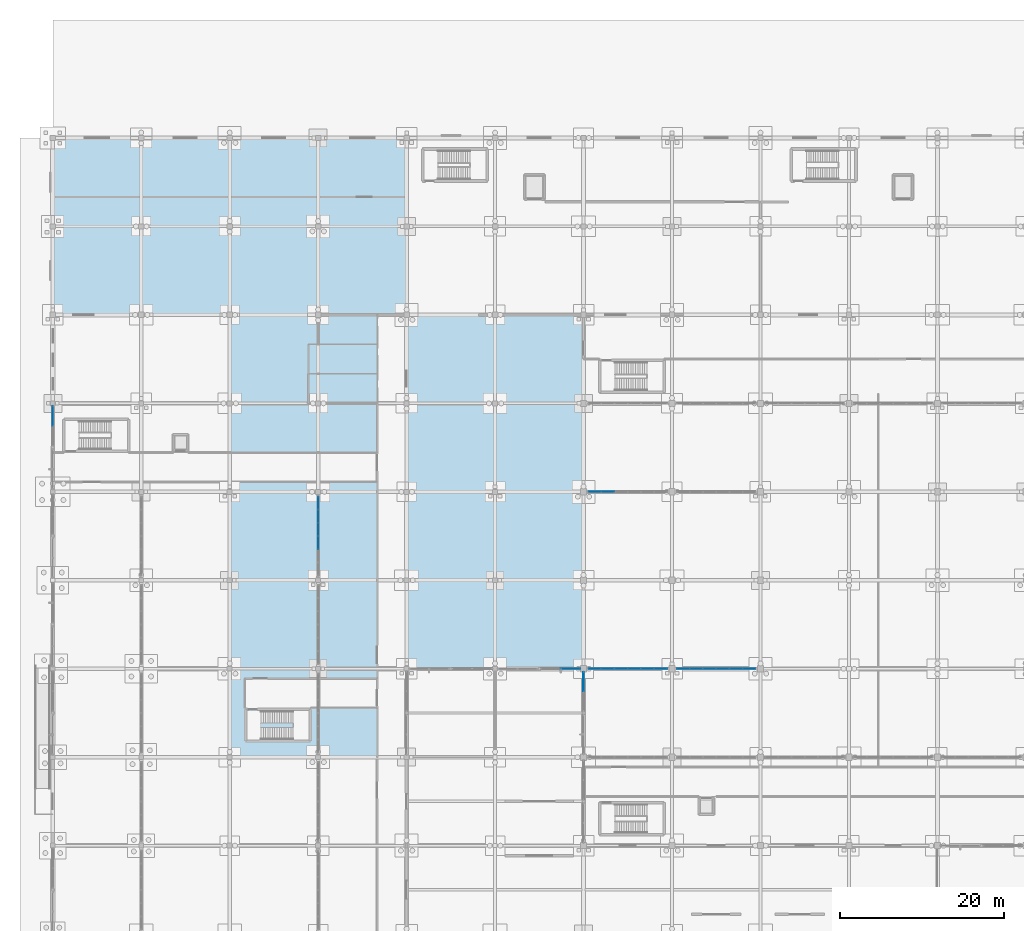
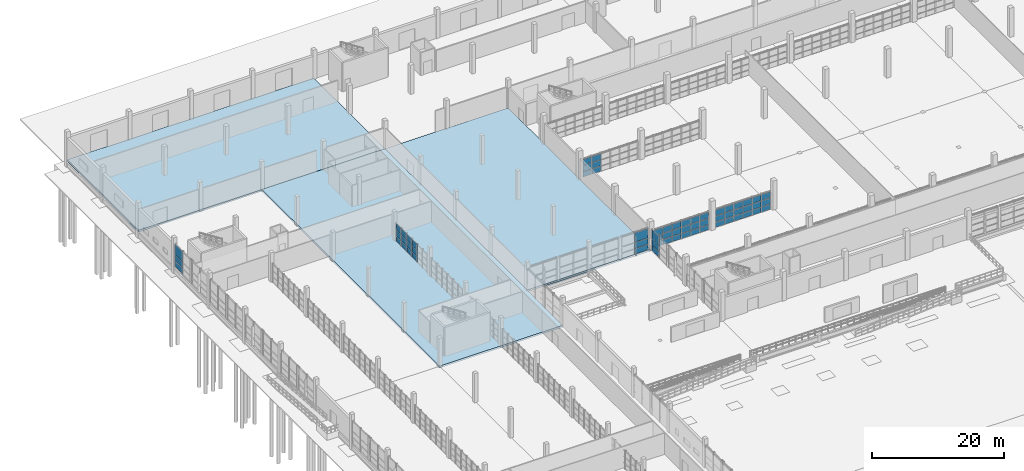
# One storey, part 89 of 138: 63 plates, 3 slabs, 7 elements without a shape of their own.
"""IFC4 building model written with IfcOpenShell, lengths in metres."""

from ifc_helpers import new_model, si_unit, direction, frame, origin, origin_2d, place, context, subcontext, project, spatial, polyline, rectangle, outline, extrude, material, layer, layer_set, type_object, element, aggregate, save


model = new_model("IFC4")

# Units and contexts
model_context = context("Model", 3, precision=1e-05, world=origin(), true_north=direction((0.0, 1.0)))
body_context = subcontext(model_context, "Body", "Model", "MODEL_VIEW")
ifc_project = project(units=[si_unit("LENGTHUNIT", "METRE"), si_unit("AREAUNIT", "SQUARE_METRE"), si_unit("VOLUMEUNIT", "CUBIC_METRE"), si_unit("PLANEANGLEUNIT", "RADIAN"), si_unit("MASSUNIT", "GRAM", prefix="KILO")], contexts=[model_context])

# Site, building, storey
site_placement = place(None, origin())
site = spatial("IfcSite", under=ifc_project, at=site_placement, CompositionType="ELEMENT")
building_placement = place(site_placement, origin())
building = spatial("IfcBuilding", under=site, at=building_placement, Name="Zwinboog Wholesale Market", CompositionType="ELEMENT")
storey_placement = place(building_placement, origin())
storey = spatial("IfcBuildingStorey", under=building, at=storey_placement, Name="L00", CompositionType="ELEMENT", Elevation=0.0)

# Slabs
ifc_material_1 = material(Name="Precast concrete C45/55", Category="concrete")
ifc_layer_1 = layer(ifc_material_1, 0.342041015625)
ifc_layer_set_1 = layer_set([ifc_layer_1], Name="Precast concrete C45/55")
slab_type_1 = type_object("IfcSlabType", Name="SLT-BS-310", PredefinedType="BASESLAB", material=ifc_layer_set_1)
slab_1_placement = place(storey_placement, frame((0.0, 0.0, -0.342041015625)))
element("IfcSlab", 1, at=slab_1_placement, inside=storey, type_object=slab_type_1, Name="SB-342 (SLB-L00-004)", PredefinedType="BASESLAB", context=body_context, shape_type="SweptSolid", body=[
    extrude(outline(polyline([(21.60009765625, 54.0), (43.199951171875, 54.0), (43.199951171875, 108.0), (21.60009765625, 108.0), (21.60009765625, 54.0)])), origin(), (0.0, 0.0, 1.0), 0.342041015625),
])
ifc_layer_2 = layer(ifc_material_1, 0.3349609375)
ifc_layer_set_2 = layer_set([ifc_layer_2], Name="Precast concrete C45/55")
slab_type_2 = type_object("IfcSlabType", Name="SLT-BS-335", PredefinedType="BASESLAB", material=ifc_layer_set_2)
slab_2_placement = place(storey_placement, frame((0.0, 0.0, -0.3349609375)))
element("IfcSlab", 2, at=slab_2_placement, inside=storey, type_object=slab_type_2, Name="SB-335 (SLB-L00-005)", PredefinedType="BASESLAB", context=body_context, shape_type="SweptSolid", body=[
    extrude(outline(polyline([(43.199951171875, 64.800048828125), (64.800048828125, 64.800048828125), (64.800048828125, 108.0), (43.199951171875, 108.0), (43.199951171875, 64.800048828125)])), origin(), (0.0, 0.0, 1.0), 0.3349609375),
])
ifc_layer_3 = layer(ifc_material_1, 0.35009765625)
ifc_layer_set_3 = layer_set([ifc_layer_3], Name="Precast concrete C45/55")
slab_type_3 = type_object("IfcSlabType", Name="SLT-BS-350", PredefinedType="BASESLAB", material=ifc_layer_set_3)
slab_3_placement = place(storey_placement, frame((0.0, 0.0, -0.35009765625)))
element("IfcSlab", 3, at=slab_3_placement, inside=storey, type_object=slab_type_3, Name="SB-350 (SLB-L00-016)", PredefinedType="BASESLAB", context=body_context, shape_type="SweptSolid", body=[
    extrude(outline(polyline([(0.0, 108.0), (43.199951171875, 108.0), (43.199951171875, 129.60009765625), (0.0, 129.60009765625), (0.0, 108.0)])), origin(), (0.0, 0.0, 1.0), 0.35009765625),
])

# Curtain wall, plates
ifc_material_2 = material(Name="Aluminium thermally broken curtain wall", Category="aluminium")
curtain_wall_type_1 = type_object("IfcCurtainWallType", Name="CWT-GAL-16", PredefinedType="USERDEFINED", material=ifc_material_2)
curtain_wall_1_placement = place(storey_placement, origin())
curtain_wall_1 = element("IfcCurtainWall", 4, at=curtain_wall_1_placement, inside=storey, type_object=curtain_wall_type_1, Name="CW-04 (CW-L00-016)", ObjectType="UNITIZED_CURTAIN_WALL", PredefinedType="USERDEFINED")
ifc_material_3 = material(Name="Double low-e insulated glazing", Category="glass")
ifc_layer_4 = layer(ifc_material_3, 0.031982421875)
ifc_layer_set_4 = layer_set([ifc_layer_4], Name="Double low-e insulated glazing")
plate_type_1 = type_object("IfcPlateType", Name="CWP-IGU-32", PredefinedType="CURTAIN_PANEL", material=ifc_layer_set_4)
plate_1_placement = place(storey_placement, frame((0.0, 95.663818359375, 0.06005859375), z_axis=(0.0, 0.0, 1.0), x_axis=(0.0, 1.0, 0.0)))
plate_1 = element("IfcPlate", 5, at=plate_1_placement, type_object=plate_type_1, Name="CW-04 panel 2.1", PredefinedType="CURTAIN_PANEL", context=body_context, shape_type="SweptSolid", body=[
    extrude(rectangle(XDim=2.362548828125, YDim=0.031982421875, at=origin_2d()), origin(), (0.0, 0.0, 1.0), 1.010009765625),
])
plate_2_placement = place(storey_placement, frame((0.0, 95.663818359375, 1.1298828125), z_axis=(0.0, 0.0, 1.0), x_axis=(0.0, 1.0, 0.0)))
plate_2 = element("IfcPlate", 6, at=plate_2_placement, type_object=plate_type_1, Name="CW-04 panel 2.2", PredefinedType="CURTAIN_PANEL", context=body_context, shape_type="SweptSolid", body=[
    extrude(rectangle(XDim=2.362548828125, YDim=0.031982421875, at=origin_2d()), origin(), (0.0, 0.0, 1.0), 1.090087890625),
])
plate_3_placement = place(storey_placement, frame((0.0, 95.663818359375, 2.2802734375), z_axis=(0.0, 0.0, 1.0), x_axis=(0.0, 1.0, 0.0)))
plate_3 = element("IfcPlate", 7, at=plate_3_placement, type_object=plate_type_1, Name="CW-04 panel 2.3", PredefinedType="CURTAIN_PANEL", context=body_context, shape_type="SweptSolid", body=[
    extrude(rectangle(XDim=2.362548828125, YDim=0.031982421875, at=origin_2d()), origin(), (0.0, 0.0, 1.0), 1.909912109375),
])
aggregate(curtain_wall_1, [plate_1, plate_2, plate_3])

curtain_wall_type_2 = type_object("IfcCurtainWallType", Name="CWT-OFF-15", PredefinedType="USERDEFINED", material=ifc_material_2)
curtain_wall_2_placement = place(storey_placement, origin())
curtain_wall_2 = element("IfcCurtainWall", 8, at=curtain_wall_2_placement, inside=storey, type_object=curtain_wall_type_2, Name="CW-06 (CW-L00-030)", ObjectType="UNITIZED_CURTAIN_WALL", PredefinedType="USERDEFINED")
plate_4_placement = place(storey_placement, frame((63.20751953125, 64.800048828125, 0.06005859375), z_axis=(0.0, 0.0, 1.0), x_axis=(1.0, 0.0, 0.0)))
plate_4 = element("IfcPlate", 9, at=plate_4_placement, type_object=plate_type_1, Name="CW-06 panel 2.1", PredefinedType="CURTAIN_PANEL", context=body_context, shape_type="SweptSolid", body=[
    extrude(rectangle(XDim=2.324951171875, YDim=0.031982421875, at=origin_2d()), origin(), (0.0, 0.0, 1.0), 1.010009765625),
])
plate_5_placement = place(storey_placement, frame((63.20751953125, 64.800048828125, 1.1298828125), z_axis=(0.0, 0.0, 1.0), x_axis=(1.0, 0.0, 0.0)))
plate_5 = element("IfcPlate", 10, at=plate_5_placement, type_object=plate_type_1, Name="CW-06 panel 2.2", PredefinedType="CURTAIN_PANEL", context=body_context, shape_type="SweptSolid", body=[
    extrude(rectangle(XDim=2.324951171875, YDim=0.031982421875, at=origin_2d()), origin(), (0.0, 0.0, 1.0), 1.090087890625),
])
plate_6_placement = place(storey_placement, frame((63.20751953125, 64.800048828125, 2.27978515625), z_axis=(0.0, 0.0, 1.0), x_axis=(1.0, 0.0, 0.0)))
plate_6 = element("IfcPlate", 11, at=plate_6_placement, type_object=plate_type_1, Name="CW-06 panel 2.3", PredefinedType="CURTAIN_PANEL", context=body_context, shape_type="SweptSolid", body=[
    extrude(rectangle(XDim=2.324951171875, YDim=0.031982421875, at=origin_2d()), origin(), (0.0, 0.0, 1.0), 1.758056640625),
])
aggregate(curtain_wall_2, [plate_4, plate_5, plate_6])

curtain_wall_3_placement = place(storey_placement, origin())
curtain_wall_3 = element("IfcCurtainWall", 12, at=curtain_wall_3_placement, inside=storey, type_object=curtain_wall_type_1, Name="CW-04 (CW-L00-034)", ObjectType="UNITIZED_CURTAIN_WALL", PredefinedType="USERDEFINED")
ifc_material_4 = material(Name="Triple solar-control insulated glazing", Category="glass")
ifc_layer_5 = layer(ifc_material_4, 0.0380859375)
ifc_layer_set_5 = layer_set([ifc_layer_5], Name="Triple solar-control insulated glazing")
plate_type_2 = type_object("IfcPlateType", Name="CWP-IGU-38", PredefinedType="CURTAIN_PANEL", material=ifc_layer_set_5)
plate_7_placement = place(storey_placement, frame((64.800048828125, 63.20751953125, 0.06005859375), z_axis=(0.0, 0.0, 1.0), x_axis=(0.0, 1.0, 0.0)))
plate_7 = element("IfcPlate", 13, at=plate_7_placement, type_object=plate_type_2, Name="CW-04 panel 2.1", PredefinedType="CURTAIN_PANEL", context=body_context, shape_type="SweptSolid", body=[
    extrude(rectangle(XDim=2.324951171875, YDim=0.0380859375, at=origin_2d()), origin(), (0.0, 0.0, 1.0), 1.010009765625),
])
plate_8_placement = place(storey_placement, frame((64.800048828125, 63.20751953125, 1.1298828125), z_axis=(0.0, 0.0, 1.0), x_axis=(0.0, 1.0, 0.0)))
plate_8 = element("IfcPlate", 14, at=plate_8_placement, type_object=plate_type_2, Name="CW-04 panel 2.2", PredefinedType="CURTAIN_PANEL", context=body_context, shape_type="SweptSolid", body=[
    extrude(rectangle(XDim=2.324951171875, YDim=0.0380859375, at=origin_2d()), origin(), (0.0, 0.0, 1.0), 1.090087890625),
])
plate_9_placement = place(storey_placement, frame((64.800048828125, 63.20751953125, 2.280029296875), z_axis=(0.0, 0.0, 1.0), x_axis=(0.0, 1.0, 0.0)))
plate_9 = element("IfcPlate", 15, at=plate_9_placement, type_object=plate_type_2, Name="CW-04 panel 2.3", PredefinedType="CURTAIN_PANEL", context=body_context, shape_type="SweptSolid", body=[
    extrude(rectangle(XDim=2.324951171875, YDim=0.0380859375, at=origin_2d()), origin(), (0.0, 0.0, 1.0), 1.68505859375),
])
aggregate(curtain_wall_3, [plate_7, plate_8, plate_9])

curtain_wall_type_3 = type_object("IfcCurtainWallType", Name="CWT-INT-STALL", PredefinedType="USERDEFINED", material=ifc_material_2)
curtain_wall_4_placement = place(storey_placement, origin())
curtain_wall_4 = element("IfcCurtainWall", 16, at=curtain_wall_4_placement, inside=storey, type_object=curtain_wall_type_3, Name="CW-07 (CW-STL-191)", ObjectType="STOREFRONT_GLAZING", PredefinedType="USERDEFINED")
ifc_material_5 = material(Name="Tempered laminated market stall glazing", Category="glass")
ifc_layer_6 = layer(ifc_material_5, 0.01611328125)
ifc_layer_set_6 = layer_set([ifc_layer_6], Name="Tempered laminated market stall glazing")
plate_type_3 = type_object("IfcPlateType", Name="CWP-INT-16", PredefinedType="CURTAIN_PANEL", material=ifc_layer_set_6)
plate_10_placement = place(storey_placement, frame((66.17333984375, 64.800048828125, 0.06005859375), z_axis=(0.0, 0.0, 1.0), x_axis=(1.0, 0.0, 0.0)))
plate_10 = element("IfcPlate", 17, at=plate_10_placement, type_object=plate_type_3, Name="CW-07 panel 1.1", PredefinedType="CURTAIN_PANEL", context=body_context, shape_type="SweptSolid", body=[
    extrude(rectangle(XDim=1.526611328125, YDim=0.01611328125, at=origin_2d()), origin(), (0.0, 0.0, 1.0), 0.9599609375),
])
plate_11_placement = place(storey_placement, frame((66.17333984375, 64.800048828125, 1.080078125), z_axis=(0.0, 0.0, 1.0), x_axis=(1.0, 0.0, 0.0)))
plate_11 = element("IfcPlate", 18, at=plate_11_placement, type_object=plate_type_3, Name="CW-07 panel 1.2", PredefinedType="CURTAIN_PANEL", context=body_context, shape_type="SweptSolid", body=[
    extrude(rectangle(XDim=1.526611328125, YDim=0.01611328125, at=origin_2d()), origin(), (0.0, 0.0, 1.0), 1.090087890625),
])
plate_12_placement = place(storey_placement, frame((66.17333984375, 64.800048828125, 2.22998046875), z_axis=(0.0, 0.0, 1.0), x_axis=(1.0, 0.0, 0.0)))
plate_12 = element("IfcPlate", 19, at=plate_12_placement, type_object=plate_type_3, Name="CW-07 panel 1.3", PredefinedType="CURTAIN_PANEL", context=body_context, shape_type="SweptSolid", body=[
    extrude(rectangle(XDim=1.526611328125, YDim=0.01611328125, at=origin_2d()), origin(), (0.0, 0.0, 1.0), 1.110107421875),
])
plate_13_placement = place(storey_placement, frame((67.77490234375, 64.800048828125, 0.06005859375), z_axis=(0.0, 0.0, 1.0), x_axis=(1.0, 0.0, 0.0)))
plate_13 = element("IfcPlate", 20, at=plate_13_placement, type_object=plate_type_3, Name="CW-07 panel 2.1", PredefinedType="CURTAIN_PANEL", context=body_context, shape_type="SweptSolid", body=[
    extrude(rectangle(XDim=1.556640625, YDim=0.01611328125, at=origin_2d()), origin(), (0.0, 0.0, 1.0), 0.9599609375),
])
plate_14_placement = place(storey_placement, frame((67.77490234375, 64.800048828125, 1.080078125), z_axis=(0.0, 0.0, 1.0), x_axis=(1.0, 0.0, 0.0)))
plate_14 = element("IfcPlate", 21, at=plate_14_placement, type_object=plate_type_3, Name="CW-07 panel 2.2", PredefinedType="CURTAIN_PANEL", context=body_context, shape_type="SweptSolid", body=[
    extrude(rectangle(XDim=1.556640625, YDim=0.01611328125, at=origin_2d()), origin(), (0.0, 0.0, 1.0), 1.090087890625),
])
plate_15_placement = place(storey_placement, frame((67.77490234375, 64.800048828125, 2.22998046875), z_axis=(0.0, 0.0, 1.0), x_axis=(1.0, 0.0, 0.0)))
plate_15 = element("IfcPlate", 22, at=plate_15_placement, type_object=plate_type_3, Name="CW-07 panel 2.3", PredefinedType="CURTAIN_PANEL", context=body_context, shape_type="SweptSolid", body=[
    extrude(rectangle(XDim=1.556640625, YDim=0.01611328125, at=origin_2d()), origin(), (0.0, 0.0, 1.0), 1.110107421875),
])
plate_16_placement = place(storey_placement, frame((69.3916015625, 64.800048828125, 0.06005859375), z_axis=(0.0, 0.0, 1.0), x_axis=(1.0, 0.0, 0.0)))
plate_16 = element("IfcPlate", 23, at=plate_16_placement, type_object=plate_type_3, Name="CW-07 panel 3.1", PredefinedType="CURTAIN_PANEL", context=body_context, shape_type="SweptSolid", body=[
    extrude(rectangle(XDim=1.556640625, YDim=0.01611328125, at=origin_2d()), origin(), (0.0, 0.0, 1.0), 0.9599609375),
])
plate_17_placement = place(storey_placement, frame((69.3916015625, 64.800048828125, 1.080078125), z_axis=(0.0, 0.0, 1.0), x_axis=(1.0, 0.0, 0.0)))
plate_17 = element("IfcPlate", 24, at=plate_17_placement, type_object=plate_type_3, Name="CW-07 panel 3.2", PredefinedType="CURTAIN_PANEL", context=body_context, shape_type="SweptSolid", body=[
    extrude(rectangle(XDim=1.556640625, YDim=0.01611328125, at=origin_2d()), origin(), (0.0, 0.0, 1.0), 1.090087890625),
])
plate_18_placement = place(storey_placement, frame((69.3916015625, 64.800048828125, 2.22998046875), z_axis=(0.0, 0.0, 1.0), x_axis=(1.0, 0.0, 0.0)))
plate_18 = element("IfcPlate", 25, at=plate_18_placement, type_object=plate_type_3, Name="CW-07 panel 3.3", PredefinedType="CURTAIN_PANEL", context=body_context, shape_type="SweptSolid", body=[
    extrude(rectangle(XDim=1.556640625, YDim=0.01611328125, at=origin_2d()), origin(), (0.0, 0.0, 1.0), 1.110107421875),
])
plate_19_placement = place(storey_placement, frame((71.00830078125, 64.800048828125, 0.06005859375), z_axis=(0.0, 0.0, 1.0), x_axis=(1.0, 0.0, 0.0)))
plate_19 = element("IfcPlate", 26, at=plate_19_placement, type_object=plate_type_3, Name="CW-07 panel 4.1", PredefinedType="CURTAIN_PANEL", context=body_context, shape_type="SweptSolid", body=[
    extrude(rectangle(XDim=1.556640625, YDim=0.01611328125, at=origin_2d()), origin(), (0.0, 0.0, 1.0), 0.9599609375),
])
plate_20_placement = place(storey_placement, frame((71.00830078125, 64.800048828125, 1.080078125), z_axis=(0.0, 0.0, 1.0), x_axis=(1.0, 0.0, 0.0)))
plate_20 = element("IfcPlate", 27, at=plate_20_placement, type_object=plate_type_3, Name="CW-07 panel 4.2", PredefinedType="CURTAIN_PANEL", context=body_context, shape_type="SweptSolid", body=[
    extrude(rectangle(XDim=1.556640625, YDim=0.01611328125, at=origin_2d()), origin(), (0.0, 0.0, 1.0), 1.090087890625),
])
plate_21_placement = place(storey_placement, frame((71.00830078125, 64.800048828125, 2.22998046875), z_axis=(0.0, 0.0, 1.0), x_axis=(1.0, 0.0, 0.0)))
plate_21 = element("IfcPlate", 28, at=plate_21_placement, type_object=plate_type_3, Name="CW-07 panel 4.3", PredefinedType="CURTAIN_PANEL", context=body_context, shape_type="SweptSolid", body=[
    extrude(rectangle(XDim=1.556640625, YDim=0.01611328125, at=origin_2d()), origin(), (0.0, 0.0, 1.0), 1.110107421875),
])
plate_22_placement = place(storey_placement, frame((72.625, 64.800048828125, 0.06005859375), z_axis=(0.0, 0.0, 1.0), x_axis=(1.0, 0.0, 0.0)))
plate_22 = element("IfcPlate", 29, at=plate_22_placement, type_object=plate_type_3, Name="CW-07 panel 5.1", PredefinedType="CURTAIN_PANEL", context=body_context, shape_type="SweptSolid", body=[
    extrude(rectangle(XDim=1.556640625, YDim=0.01611328125, at=origin_2d()), origin(), (0.0, 0.0, 1.0), 0.9599609375),
])
plate_23_placement = place(storey_placement, frame((72.625, 64.800048828125, 1.080078125), z_axis=(0.0, 0.0, 1.0), x_axis=(1.0, 0.0, 0.0)))
plate_23 = element("IfcPlate", 30, at=plate_23_placement, type_object=plate_type_3, Name="CW-07 panel 5.2", PredefinedType="CURTAIN_PANEL", context=body_context, shape_type="SweptSolid", body=[
    extrude(rectangle(XDim=1.556640625, YDim=0.01611328125, at=origin_2d()), origin(), (0.0, 0.0, 1.0), 1.090087890625),
])
plate_24_placement = place(storey_placement, frame((72.625, 64.800048828125, 2.22998046875), z_axis=(0.0, 0.0, 1.0), x_axis=(1.0, 0.0, 0.0)))
plate_24 = element("IfcPlate", 31, at=plate_24_placement, type_object=plate_type_3, Name="CW-07 panel 5.3", PredefinedType="CURTAIN_PANEL", context=body_context, shape_type="SweptSolid", body=[
    extrude(rectangle(XDim=1.556640625, YDim=0.01611328125, at=origin_2d()), origin(), (0.0, 0.0, 1.0), 1.110107421875),
])
plate_25_placement = place(storey_placement, frame((74.2265625, 64.800048828125, 0.06005859375), z_axis=(0.0, 0.0, 1.0), x_axis=(1.0, 0.0, 0.0)))
plate_25 = element("IfcPlate", 32, at=plate_25_placement, type_object=plate_type_3, Name="CW-07 panel 6.1", PredefinedType="CURTAIN_PANEL", context=body_context, shape_type="SweptSolid", body=[
    extrude(rectangle(XDim=1.526611328125, YDim=0.01611328125, at=origin_2d()), origin(), (0.0, 0.0, 1.0), 0.9599609375),
])
plate_26_placement = place(storey_placement, frame((74.2265625, 64.800048828125, 1.080078125), z_axis=(0.0, 0.0, 1.0), x_axis=(1.0, 0.0, 0.0)))
plate_26 = element("IfcPlate", 33, at=plate_26_placement, type_object=plate_type_3, Name="CW-07 panel 6.2", PredefinedType="CURTAIN_PANEL", context=body_context, shape_type="SweptSolid", body=[
    extrude(rectangle(XDim=1.526611328125, YDim=0.01611328125, at=origin_2d()), origin(), (0.0, 0.0, 1.0), 1.090087890625),
])
plate_27_placement = place(storey_placement, frame((74.2265625, 64.800048828125, 2.22998046875), z_axis=(0.0, 0.0, 1.0), x_axis=(1.0, 0.0, 0.0)))
plate_27 = element("IfcPlate", 34, at=plate_27_placement, type_object=plate_type_3, Name="CW-07 panel 6.3", PredefinedType="CURTAIN_PANEL", context=body_context, shape_type="SweptSolid", body=[
    extrude(rectangle(XDim=1.526611328125, YDim=0.01611328125, at=origin_2d()), origin(), (0.0, 0.0, 1.0), 1.110107421875),
])
aggregate(curtain_wall_4, [plate_10, plate_11, plate_12, plate_13, plate_14, plate_15, plate_16, plate_17, plate_18, plate_19, plate_20, plate_21, plate_22, plate_23, plate_24, plate_25, plate_26, plate_27])

curtain_wall_5_placement = place(storey_placement, origin())
curtain_wall_5 = element("IfcCurtainWall", 35, at=curtain_wall_5_placement, inside=storey, type_object=curtain_wall_type_3, Name="CW-07 (CW-STL-192)", ObjectType="STOREFRONT_GLAZING", PredefinedType="USERDEFINED")
plate_28_placement = place(storey_placement, frame((76.973388671875, 64.800048828125, 0.06005859375), z_axis=(0.0, 0.0, 1.0), x_axis=(1.0, 0.0, 0.0)))
plate_28 = element("IfcPlate", 36, at=plate_28_placement, type_object=plate_type_3, Name="CW-07 panel 1.1", PredefinedType="CURTAIN_PANEL", context=body_context, shape_type="SweptSolid", body=[
    extrude(rectangle(XDim=1.526611328125, YDim=0.01611328125, at=origin_2d()), origin(), (0.0, 0.0, 1.0), 0.9599609375),
])
plate_29_placement = place(storey_placement, frame((76.973388671875, 64.800048828125, 1.080078125), z_axis=(0.0, 0.0, 1.0), x_axis=(1.0, 0.0, 0.0)))
plate_29 = element("IfcPlate", 37, at=plate_29_placement, type_object=plate_type_3, Name="CW-07 panel 1.2", PredefinedType="CURTAIN_PANEL", context=body_context, shape_type="SweptSolid", body=[
    extrude(rectangle(XDim=1.526611328125, YDim=0.01611328125, at=origin_2d()), origin(), (0.0, 0.0, 1.0), 1.090087890625),
])
plate_30_placement = place(storey_placement, frame((76.973388671875, 64.800048828125, 2.22998046875), z_axis=(0.0, 0.0, 1.0), x_axis=(1.0, 0.0, 0.0)))
plate_30 = element("IfcPlate", 38, at=plate_30_placement, type_object=plate_type_3, Name="CW-07 panel 1.3", PredefinedType="CURTAIN_PANEL", context=body_context, shape_type="SweptSolid", body=[
    extrude(rectangle(XDim=1.526611328125, YDim=0.01611328125, at=origin_2d()), origin(), (0.0, 0.0, 1.0), 1.110107421875),
])
plate_31_placement = place(storey_placement, frame((78.574951171875, 64.800048828125, 0.06005859375), z_axis=(0.0, 0.0, 1.0), x_axis=(1.0, 0.0, 0.0)))
plate_31 = element("IfcPlate", 39, at=plate_31_placement, type_object=plate_type_3, Name="CW-07 panel 2.1", PredefinedType="CURTAIN_PANEL", context=body_context, shape_type="SweptSolid", body=[
    extrude(rectangle(XDim=1.556640625, YDim=0.01611328125, at=origin_2d()), origin(), (0.0, 0.0, 1.0), 0.9599609375),
])
plate_32_placement = place(storey_placement, frame((78.574951171875, 64.800048828125, 1.080078125), z_axis=(0.0, 0.0, 1.0), x_axis=(1.0, 0.0, 0.0)))
plate_32 = element("IfcPlate", 40, at=plate_32_placement, type_object=plate_type_3, Name="CW-07 panel 2.2", PredefinedType="CURTAIN_PANEL", context=body_context, shape_type="SweptSolid", body=[
    extrude(rectangle(XDim=1.556640625, YDim=0.01611328125, at=origin_2d()), origin(), (0.0, 0.0, 1.0), 1.090087890625),
])
plate_33_placement = place(storey_placement, frame((78.574951171875, 64.800048828125, 2.22998046875), z_axis=(0.0, 0.0, 1.0), x_axis=(1.0, 0.0, 0.0)))
plate_33 = element("IfcPlate", 41, at=plate_33_placement, type_object=plate_type_3, Name="CW-07 panel 2.3", PredefinedType="CURTAIN_PANEL", context=body_context, shape_type="SweptSolid", body=[
    extrude(rectangle(XDim=1.556640625, YDim=0.01611328125, at=origin_2d()), origin(), (0.0, 0.0, 1.0), 1.110107421875),
])
plate_34_placement = place(storey_placement, frame((80.191650390625, 64.800048828125, 0.06005859375), z_axis=(0.0, 0.0, 1.0), x_axis=(1.0, 0.0, 0.0)))
plate_34 = element("IfcPlate", 42, at=plate_34_placement, type_object=plate_type_3, Name="CW-07 panel 3.1", PredefinedType="CURTAIN_PANEL", context=body_context, shape_type="SweptSolid", body=[
    extrude(rectangle(XDim=1.556640625, YDim=0.01611328125, at=origin_2d()), origin(), (0.0, 0.0, 1.0), 0.9599609375),
])
plate_35_placement = place(storey_placement, frame((80.191650390625, 64.800048828125, 1.080078125), z_axis=(0.0, 0.0, 1.0), x_axis=(1.0, 0.0, 0.0)))
plate_35 = element("IfcPlate", 43, at=plate_35_placement, type_object=plate_type_3, Name="CW-07 panel 3.2", PredefinedType="CURTAIN_PANEL", context=body_context, shape_type="SweptSolid", body=[
    extrude(rectangle(XDim=1.556640625, YDim=0.01611328125, at=origin_2d()), origin(), (0.0, 0.0, 1.0), 1.090087890625),
])
plate_36_placement = place(storey_placement, frame((80.191650390625, 64.800048828125, 2.22998046875), z_axis=(0.0, 0.0, 1.0), x_axis=(1.0, 0.0, 0.0)))
plate_36 = element("IfcPlate", 44, at=plate_36_placement, type_object=plate_type_3, Name="CW-07 panel 3.3", PredefinedType="CURTAIN_PANEL", context=body_context, shape_type="SweptSolid", body=[
    extrude(rectangle(XDim=1.556640625, YDim=0.01611328125, at=origin_2d()), origin(), (0.0, 0.0, 1.0), 1.110107421875),
])
plate_37_placement = place(storey_placement, frame((81.808349609375, 64.800048828125, 0.06005859375), z_axis=(0.0, 0.0, 1.0), x_axis=(1.0, 0.0, 0.0)))
plate_37 = element("IfcPlate", 45, at=plate_37_placement, type_object=plate_type_3, Name="CW-07 panel 4.1", PredefinedType="CURTAIN_PANEL", context=body_context, shape_type="SweptSolid", body=[
    extrude(rectangle(XDim=1.556640625, YDim=0.01611328125, at=origin_2d()), origin(), (0.0, 0.0, 1.0), 0.9599609375),
])
plate_38_placement = place(storey_placement, frame((81.808349609375, 64.800048828125, 1.080078125), z_axis=(0.0, 0.0, 1.0), x_axis=(1.0, 0.0, 0.0)))
plate_38 = element("IfcPlate", 46, at=plate_38_placement, type_object=plate_type_3, Name="CW-07 panel 4.2", PredefinedType="CURTAIN_PANEL", context=body_context, shape_type="SweptSolid", body=[
    extrude(rectangle(XDim=1.556640625, YDim=0.01611328125, at=origin_2d()), origin(), (0.0, 0.0, 1.0), 1.090087890625),
])
plate_39_placement = place(storey_placement, frame((81.808349609375, 64.800048828125, 2.22998046875), z_axis=(0.0, 0.0, 1.0), x_axis=(1.0, 0.0, 0.0)))
plate_39 = element("IfcPlate", 47, at=plate_39_placement, type_object=plate_type_3, Name="CW-07 panel 4.3", PredefinedType="CURTAIN_PANEL", context=body_context, shape_type="SweptSolid", body=[
    extrude(rectangle(XDim=1.556640625, YDim=0.01611328125, at=origin_2d()), origin(), (0.0, 0.0, 1.0), 1.110107421875),
])
plate_40_placement = place(storey_placement, frame((83.425048828125, 64.800048828125, 0.06005859375), z_axis=(0.0, 0.0, 1.0), x_axis=(1.0, 0.0, 0.0)))
plate_40 = element("IfcPlate", 48, at=plate_40_placement, type_object=plate_type_3, Name="CW-07 panel 5.1", PredefinedType="CURTAIN_PANEL", context=body_context, shape_type="SweptSolid", body=[
    extrude(rectangle(XDim=1.556640625, YDim=0.01611328125, at=origin_2d()), origin(), (0.0, 0.0, 1.0), 0.9599609375),
])
plate_41_placement = place(storey_placement, frame((83.425048828125, 64.800048828125, 1.080078125), z_axis=(0.0, 0.0, 1.0), x_axis=(1.0, 0.0, 0.0)))
plate_41 = element("IfcPlate", 49, at=plate_41_placement, type_object=plate_type_3, Name="CW-07 panel 5.2", PredefinedType="CURTAIN_PANEL", context=body_context, shape_type="SweptSolid", body=[
    extrude(rectangle(XDim=1.556640625, YDim=0.01611328125, at=origin_2d()), origin(), (0.0, 0.0, 1.0), 1.090087890625),
])
plate_42_placement = place(storey_placement, frame((83.425048828125, 64.800048828125, 2.22998046875), z_axis=(0.0, 0.0, 1.0), x_axis=(1.0, 0.0, 0.0)))
plate_42 = element("IfcPlate", 50, at=plate_42_placement, type_object=plate_type_3, Name="CW-07 panel 5.3", PredefinedType="CURTAIN_PANEL", context=body_context, shape_type="SweptSolid", body=[
    extrude(rectangle(XDim=1.556640625, YDim=0.01611328125, at=origin_2d()), origin(), (0.0, 0.0, 1.0), 1.110107421875),
])
plate_43_placement = place(storey_placement, frame((85.026611328125, 64.800048828125, 0.06005859375), z_axis=(0.0, 0.0, 1.0), x_axis=(1.0, 0.0, 0.0)))
plate_43 = element("IfcPlate", 51, at=plate_43_placement, type_object=plate_type_3, Name="CW-07 panel 6.1", PredefinedType="CURTAIN_PANEL", context=body_context, shape_type="SweptSolid", body=[
    extrude(rectangle(XDim=1.526611328125, YDim=0.01611328125, at=origin_2d()), origin(), (0.0, 0.0, 1.0), 0.9599609375),
])
plate_44_placement = place(storey_placement, frame((85.026611328125, 64.800048828125, 1.080078125), z_axis=(0.0, 0.0, 1.0), x_axis=(1.0, 0.0, 0.0)))
plate_44 = element("IfcPlate", 52, at=plate_44_placement, type_object=plate_type_3, Name="CW-07 panel 6.2", PredefinedType="CURTAIN_PANEL", context=body_context, shape_type="SweptSolid", body=[
    extrude(rectangle(XDim=1.526611328125, YDim=0.01611328125, at=origin_2d()), origin(), (0.0, 0.0, 1.0), 1.090087890625),
])
plate_45_placement = place(storey_placement, frame((85.026611328125, 64.800048828125, 2.22998046875), z_axis=(0.0, 0.0, 1.0), x_axis=(1.0, 0.0, 0.0)))
plate_45 = element("IfcPlate", 53, at=plate_45_placement, type_object=plate_type_3, Name="CW-07 panel 6.3", PredefinedType="CURTAIN_PANEL", context=body_context, shape_type="SweptSolid", body=[
    extrude(rectangle(XDim=1.526611328125, YDim=0.01611328125, at=origin_2d()), origin(), (0.0, 0.0, 1.0), 1.110107421875),
])
aggregate(curtain_wall_5, [plate_28, plate_29, plate_30, plate_31, plate_32, plate_33, plate_34, plate_35, plate_36, plate_37, plate_38, plate_39, plate_40, plate_41, plate_42, plate_43, plate_44, plate_45])

curtain_wall_6_placement = place(storey_placement, origin())
curtain_wall_6 = element("IfcCurtainWall", 54, at=curtain_wall_6_placement, inside=storey, type_object=curtain_wall_type_3, Name="CW-07 (CW-STL-195)", ObjectType="STOREFRONT_GLAZING", PredefinedType="USERDEFINED")
plate_46_placement = place(storey_placement, frame((66.17333984375, 86.39990234375, 0.06005859375), z_axis=(0.0, 0.0, 1.0), x_axis=(1.0, 0.0, 0.0)))
plate_46 = element("IfcPlate", 55, at=plate_46_placement, type_object=plate_type_3, Name="CW-07 panel 1.1", PredefinedType="CURTAIN_PANEL", context=body_context, shape_type="SweptSolid", body=[
    extrude(rectangle(XDim=1.526611328125, YDim=0.01611328125, at=origin_2d()), origin(), (0.0, 0.0, 1.0), 0.9599609375),
])
plate_47_placement = place(storey_placement, frame((66.17333984375, 86.39990234375, 1.080078125), z_axis=(0.0, 0.0, 1.0), x_axis=(1.0, 0.0, 0.0)))
plate_47 = element("IfcPlate", 56, at=plate_47_placement, type_object=plate_type_3, Name="CW-07 panel 1.2", PredefinedType="CURTAIN_PANEL", context=body_context, shape_type="SweptSolid", body=[
    extrude(rectangle(XDim=1.526611328125, YDim=0.01611328125, at=origin_2d()), origin(), (0.0, 0.0, 1.0), 1.090087890625),
])
plate_48_placement = place(storey_placement, frame((66.17333984375, 86.39990234375, 2.22998046875), z_axis=(0.0, 0.0, 1.0), x_axis=(1.0, 0.0, 0.0)))
plate_48 = element("IfcPlate", 57, at=plate_48_placement, type_object=plate_type_3, Name="CW-07 panel 1.3", PredefinedType="CURTAIN_PANEL", context=body_context, shape_type="SweptSolid", body=[
    extrude(rectangle(XDim=1.526611328125, YDim=0.01611328125, at=origin_2d()), origin(), (0.0, 0.0, 1.0), 1.110107421875),
])
plate_49_placement = place(storey_placement, frame((67.77490234375, 86.39990234375, 0.06005859375), z_axis=(0.0, 0.0, 1.0), x_axis=(1.0, 0.0, 0.0)))
plate_49 = element("IfcPlate", 58, at=plate_49_placement, type_object=plate_type_3, Name="CW-07 panel 2.1", PredefinedType="CURTAIN_PANEL", context=body_context, shape_type="SweptSolid", body=[
    extrude(rectangle(XDim=1.556640625, YDim=0.01611328125, at=origin_2d()), origin(), (0.0, 0.0, 1.0), 0.9599609375),
])
plate_50_placement = place(storey_placement, frame((67.77490234375, 86.39990234375, 1.080078125), z_axis=(0.0, 0.0, 1.0), x_axis=(1.0, 0.0, 0.0)))
plate_50 = element("IfcPlate", 59, at=plate_50_placement, type_object=plate_type_3, Name="CW-07 panel 2.2", PredefinedType="CURTAIN_PANEL", context=body_context, shape_type="SweptSolid", body=[
    extrude(rectangle(XDim=1.556640625, YDim=0.01611328125, at=origin_2d()), origin(), (0.0, 0.0, 1.0), 1.090087890625),
])
plate_51_placement = place(storey_placement, frame((67.77490234375, 86.39990234375, 2.22998046875), z_axis=(0.0, 0.0, 1.0), x_axis=(1.0, 0.0, 0.0)))
plate_51 = element("IfcPlate", 60, at=plate_51_placement, type_object=plate_type_3, Name="CW-07 panel 2.3", PredefinedType="CURTAIN_PANEL", context=body_context, shape_type="SweptSolid", body=[
    extrude(rectangle(XDim=1.556640625, YDim=0.01611328125, at=origin_2d()), origin(), (0.0, 0.0, 1.0), 1.110107421875),
])
aggregate(curtain_wall_6, [plate_46, plate_47, plate_48, plate_49, plate_50, plate_51])

curtain_wall_7_placement = place(storey_placement, origin())
curtain_wall_7 = element("IfcCurtainWall", 61, at=curtain_wall_7_placement, inside=storey, type_object=curtain_wall_type_3, Name="CW-07 (CW-STL-224)", ObjectType="STOREFRONT_GLAZING", PredefinedType="USERDEFINED")
plate_52_placement = place(storey_placement, frame((32.39990234375, 80.191650390625, 0.06005859375), z_axis=(0.0, 0.0, 1.0), x_axis=(0.0, 1.0, 0.0)))
plate_52 = element("IfcPlate", 62, at=plate_52_placement, type_object=plate_type_3, Name="CW-07 panel 3.1", PredefinedType="CURTAIN_PANEL", context=body_context, shape_type="SweptSolid", body=[
    extrude(rectangle(XDim=1.556640625, YDim=0.01611328125, at=origin_2d()), origin(), (0.0, 0.0, 1.0), 0.9599609375),
])
plate_53_placement = place(storey_placement, frame((32.39990234375, 80.191650390625, 1.080078125), z_axis=(0.0, 0.0, 1.0), x_axis=(0.0, 1.0, 0.0)))
plate_53 = element("IfcPlate", 63, at=plate_53_placement, type_object=plate_type_3, Name="CW-07 panel 3.2", PredefinedType="CURTAIN_PANEL", context=body_context, shape_type="SweptSolid", body=[
    extrude(rectangle(XDim=1.556640625, YDim=0.01611328125, at=origin_2d()), origin(), (0.0, 0.0, 1.0), 1.090087890625),
])
plate_54_placement = place(storey_placement, frame((32.39990234375, 80.191650390625, 2.22998046875), z_axis=(0.0, 0.0, 1.0), x_axis=(0.0, 1.0, 0.0)))
plate_54 = element("IfcPlate", 64, at=plate_54_placement, type_object=plate_type_3, Name="CW-07 panel 3.3", PredefinedType="CURTAIN_PANEL", context=body_context, shape_type="SweptSolid", body=[
    extrude(rectangle(XDim=1.556640625, YDim=0.01611328125, at=origin_2d()), origin(), (0.0, 0.0, 1.0), 1.110107421875),
])
plate_55_placement = place(storey_placement, frame((32.39990234375, 81.808349609375, 0.06005859375), z_axis=(0.0, 0.0, 1.0), x_axis=(0.0, 1.0, 0.0)))
plate_55 = element("IfcPlate", 65, at=plate_55_placement, type_object=plate_type_3, Name="CW-07 panel 4.1", PredefinedType="CURTAIN_PANEL", context=body_context, shape_type="SweptSolid", body=[
    extrude(rectangle(XDim=1.556640625, YDim=0.01611328125, at=origin_2d()), origin(), (0.0, 0.0, 1.0), 0.9599609375),
])
plate_56_placement = place(storey_placement, frame((32.39990234375, 81.808349609375, 1.080078125), z_axis=(0.0, 0.0, 1.0), x_axis=(0.0, 1.0, 0.0)))
plate_56 = element("IfcPlate", 66, at=plate_56_placement, type_object=plate_type_3, Name="CW-07 panel 4.2", PredefinedType="CURTAIN_PANEL", context=body_context, shape_type="SweptSolid", body=[
    extrude(rectangle(XDim=1.556640625, YDim=0.01611328125, at=origin_2d()), origin(), (0.0, 0.0, 1.0), 1.090087890625),
])
plate_57_placement = place(storey_placement, frame((32.39990234375, 81.808349609375, 2.22998046875), z_axis=(0.0, 0.0, 1.0), x_axis=(0.0, 1.0, 0.0)))
plate_57 = element("IfcPlate", 67, at=plate_57_placement, type_object=plate_type_3, Name="CW-07 panel 4.3", PredefinedType="CURTAIN_PANEL", context=body_context, shape_type="SweptSolid", body=[
    extrude(rectangle(XDim=1.556640625, YDim=0.01611328125, at=origin_2d()), origin(), (0.0, 0.0, 1.0), 1.110107421875),
])
plate_58_placement = place(storey_placement, frame((32.39990234375, 83.425048828125, 0.06005859375), z_axis=(0.0, 0.0, 1.0), x_axis=(0.0, 1.0, 0.0)))
plate_58 = element("IfcPlate", 68, at=plate_58_placement, type_object=plate_type_3, Name="CW-07 panel 5.1", PredefinedType="CURTAIN_PANEL", context=body_context, shape_type="SweptSolid", body=[
    extrude(rectangle(XDim=1.556640625, YDim=0.01611328125, at=origin_2d()), origin(), (0.0, 0.0, 1.0), 0.9599609375),
])
plate_59_placement = place(storey_placement, frame((32.39990234375, 83.425048828125, 1.080078125), z_axis=(0.0, 0.0, 1.0), x_axis=(0.0, 1.0, 0.0)))
plate_59 = element("IfcPlate", 69, at=plate_59_placement, type_object=plate_type_3, Name="CW-07 panel 5.2", PredefinedType="CURTAIN_PANEL", context=body_context, shape_type="SweptSolid", body=[
    extrude(rectangle(XDim=1.556640625, YDim=0.01611328125, at=origin_2d()), origin(), (0.0, 0.0, 1.0), 1.090087890625),
])
plate_60_placement = place(storey_placement, frame((32.39990234375, 83.425048828125, 2.22998046875), z_axis=(0.0, 0.0, 1.0), x_axis=(0.0, 1.0, 0.0)))
plate_60 = element("IfcPlate", 70, at=plate_60_placement, type_object=plate_type_3, Name="CW-07 panel 5.3", PredefinedType="CURTAIN_PANEL", context=body_context, shape_type="SweptSolid", body=[
    extrude(rectangle(XDim=1.556640625, YDim=0.01611328125, at=origin_2d()), origin(), (0.0, 0.0, 1.0), 1.110107421875),
])
plate_61_placement = place(storey_placement, frame((32.39990234375, 85.026611328125, 0.06005859375), z_axis=(0.0, 0.0, 1.0), x_axis=(0.0, 1.0, 0.0)))
plate_61 = element("IfcPlate", 71, at=plate_61_placement, type_object=plate_type_3, Name="CW-07 panel 6.1", PredefinedType="CURTAIN_PANEL", context=body_context, shape_type="SweptSolid", body=[
    extrude(rectangle(XDim=1.526611328125, YDim=0.01611328125, at=origin_2d()), origin(), (0.0, 0.0, 1.0), 0.9599609375),
])
plate_62_placement = place(storey_placement, frame((32.39990234375, 85.026611328125, 1.080078125), z_axis=(0.0, 0.0, 1.0), x_axis=(0.0, 1.0, 0.0)))
plate_62 = element("IfcPlate", 72, at=plate_62_placement, type_object=plate_type_3, Name="CW-07 panel 6.2", PredefinedType="CURTAIN_PANEL", context=body_context, shape_type="SweptSolid", body=[
    extrude(rectangle(XDim=1.526611328125, YDim=0.01611328125, at=origin_2d()), origin(), (0.0, 0.0, 1.0), 1.090087890625),
])
plate_63_placement = place(storey_placement, frame((32.39990234375, 85.026611328125, 2.22998046875), z_axis=(0.0, 0.0, 1.0), x_axis=(0.0, 1.0, 0.0)))
plate_63 = element("IfcPlate", 73, at=plate_63_placement, type_object=plate_type_3, Name="CW-07 panel 6.3", PredefinedType="CURTAIN_PANEL", context=body_context, shape_type="SweptSolid", body=[
    extrude(rectangle(XDim=1.526611328125, YDim=0.01611328125, at=origin_2d()), origin(), (0.0, 0.0, 1.0), 1.110107421875),
])
aggregate(curtain_wall_7, [plate_52, plate_53, plate_54, plate_55, plate_56, plate_57, plate_58, plate_59, plate_60, plate_61, plate_62, plate_63])

save(model, "model.ifc")
